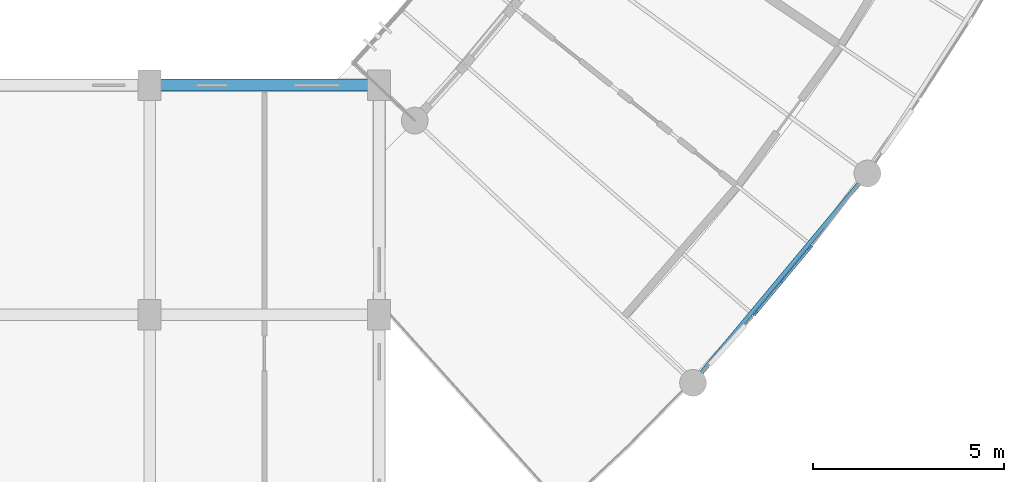
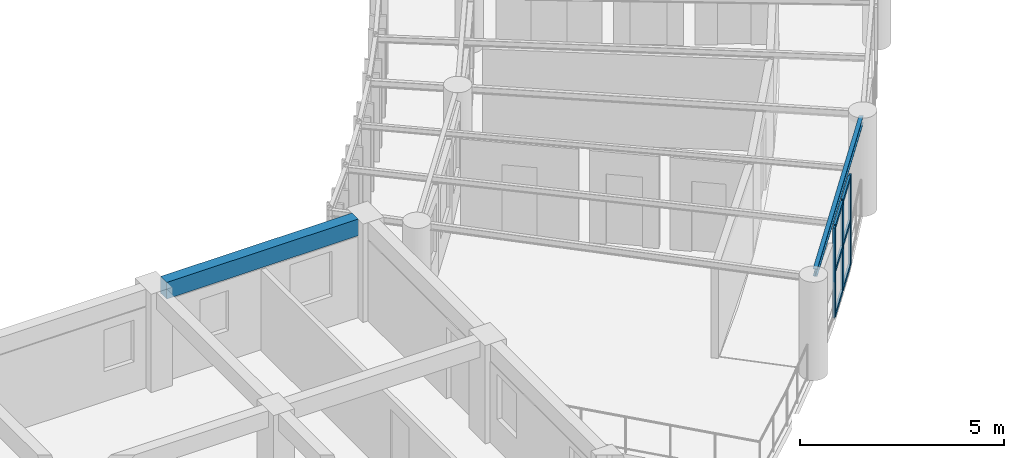
# One storey, part 22 of 137: 9 members, 2 beams, 1 element without a shape of its own.
"""IFC4 building model written with IfcOpenShell, lengths in metres."""

from ifc_helpers import new_model, si_unit, direction, frame, origin, origin_2d, place, context, subcontext, project, spatial, rectangle, i_section, extrude, material, layer, layer_set, material_profile, profile_set, type_object, element, aggregate, save


model = new_model("IFC4")

# Units and contexts
model_context = context("Model", 3, precision=1e-05, world=origin(), true_north=direction((0.0, 1.0)))
body_context = subcontext(model_context, "Body", "Model", "MODEL_VIEW")
ifc_project = project(units=[si_unit("LENGTHUNIT", "METRE"), si_unit("AREAUNIT", "SQUARE_METRE"), si_unit("VOLUMEUNIT", "CUBIC_METRE"), si_unit("PLANEANGLEUNIT", "RADIAN"), si_unit("MASSUNIT", "GRAM", prefix="KILO"), si_unit("POWERUNIT", "WATT"), si_unit("THERMODYNAMICTEMPERATUREUNIT", "KELVIN")], contexts=[model_context])

# Site, building, storey
site_placement = place(None, origin())
site = spatial("IfcSite", under=ifc_project, at=site_placement, CompositionType="ELEMENT")
building_placement = place(site_placement, origin())
building = spatial("IfcBuilding", under=site, at=building_placement, Name="Ruvembo Vaulted Housing Court", CompositionType="ELEMENT")
storey_placement = place(building_placement, frame((0.0, 0.0, 4.5)))
storey = spatial("IfcBuildingStorey", under=building, at=storey_placement, Name="L01", CompositionType="ELEMENT", Elevation=4.5)

# Beam
ifc_material_1 = material(Name="Steel S355J2", Category="steel")
ifc_material_profile_1 = material_profile(ifc_material_1, i_section(OverallWidth=0.110107421875, OverallDepth=0.219970703125, WebThickness=0.005859375, FlangeThickness=0.00927734375, FilletRadius=0.011962890625, at=origin_2d()), Name="IPE 220")
ifc_profile_set_1 = profile_set([ifc_material_profile_1], Name="Steel S355J2")
beam_type_1 = type_object("IfcBeamType", Name="BM-ST-IPE220", PredefinedType="SPANDREL", material=ifc_profile_set_1)
beam_1_placement = place(storey_placement, frame((44.35498046875, 34.39599609375, 2.83203125), z_axis=(0.639878120944, 0.768476408445, 0.0), x_axis=(-0.768476408445, 0.639878120944, 0.0)))
element("IfcBeam", 1, at=beam_1_placement, inside=storey, type_object=beam_type_1, Name="Scoop SC1 L01 Chord Girder B0", PredefinedType="SPANDREL", context=body_context, shape_type="SweptSolid", body=[
    extrude(i_section(OverallWidth=0.110107421875, OverallDepth=0.219970703125, WebThickness=0.005859375, FlangeThickness=0.00927734375, FilletRadius=0.011962890625, at=origin_2d()), origin(), (0.0, 0.0, 1.0), 6.66552734375),
])

# Curtain wall, members
ifc_material_2 = material(Name="Anodised Aluminium and Solar-Control Glass", Category="aluminium")
ifc_layer = layer(ifc_material_2, 0.1201171875, Name="Anodised Aluminium and Solar-Control Glass")
ifc_layer_set = layer_set([ifc_layer], Name="Anodised Aluminium and Solar-Control Glass")
curtain_wall_type = type_object("IfcCurtainWallType", Name="CW-SCOOP-GAL", PredefinedType="NOTDEFINED", material=ifc_layer_set)
curtain_wall_placement = place(storey_placement, origin())
curtain_wall = element("IfcCurtainWall", 2, at=curtain_wall_placement, inside=storey, type_object=curtain_wall_type, Name="L01 Curtain Wall CW-L01-0009", PredefinedType="NOTDEFINED")
ifc_material_3 = material(Name="Anodised Aluminium 6063-T6", Category="aluminium")
ifc_material_profile_2 = material_profile(ifc_material_3, rectangle(XDim=0.06005859375, YDim=0.159912109375, at=origin_2d()), Name="ALU 60x160")
ifc_profile_set_2 = profile_set([ifc_material_profile_2], Name="Anodised Aluminium 6063-T6")
member_type_1 = type_object("IfcMemberType", Name="CW-MULLION-65x150", PredefinedType="MULLION", material=ifc_profile_set_2)
member_1_placement = place(storey_placement, frame((45.853271484375, 36.043212890625, 0.0), z_axis=(0.0, 0.0, 1.0), x_axis=(-0.768484050303, 0.639868943167, 0.0)))
member_1 = element("IfcMember", 3, at=member_1_placement, type_object=member_type_1, Name="CW6 mullion 1", PredefinedType="MULLION", context=body_context, shape_type="SweptSolid", body=[
    extrude(rectangle(XDim=0.06005859375, YDim=0.159912109375, at=origin_2d()), origin(), (0.0, 0.0, 1.0), 2.697998046875),
])
member_2_placement = place(storey_placement, frame((46.562255859375, 36.89501953125, 0.0), z_axis=(0.0, 0.0, 1.0), x_axis=(-0.768484050303, 0.639868943167, 0.0)))
member_2 = element("IfcMember", 4, at=member_2_placement, type_object=member_type_1, Name="CW6 mullion 2", PredefinedType="MULLION", context=body_context, shape_type="SweptSolid", body=[
    extrude(rectangle(XDim=0.06005859375, YDim=0.159912109375, at=origin_2d()), origin(), (0.0, 0.0, 1.0), 2.697998046875),
])
member_3_placement = place(storey_placement, frame((47.271484375, 37.74658203125, 0.0), z_axis=(0.0, 0.0, 1.0), x_axis=(-0.768484050303, 0.639868943167, 0.0)))
member_3 = element("IfcMember", 5, at=member_3_placement, type_object=member_type_1, Name="CW6 mullion 3", PredefinedType="MULLION", context=body_context, shape_type="SweptSolid", body=[
    extrude(rectangle(XDim=0.06005859375, YDim=0.159912109375, at=origin_2d()), origin(), (0.0, 0.0, 1.0), 2.697998046875),
])
ifc_material_profile_3 = material_profile(ifc_material_3, rectangle(XDim=0.06005859375, YDim=0.1201171875, at=origin_2d()), Name="ALU 60x120")
ifc_profile_set_3 = profile_set([ifc_material_profile_3], Name="Anodised Aluminium 6063-T6")
member_type_2 = type_object("IfcMemberType", Name="CW-TRANSOM-65x120", PredefinedType="USERDEFINED", material=ifc_profile_set_3)
member_4_placement = place(storey_placement, frame((45.872314453125, 36.06640625, 0.030029296875), z_axis=(0.640024024625, 0.768354897103, 0.0), x_axis=(-0.768354897103, 0.640024024625, 0.0)))
member_4 = element("IfcMember", 6, at=member_4_placement, type_object=member_type_2, Name="CW6 transom 1.1", ObjectType="TRANSOM", PredefinedType="USERDEFINED", context=body_context, shape_type="SweptSolid", body=[
    extrude(rectangle(XDim=0.06005859375, YDim=0.1201171875, at=origin_2d()), origin(), (0.0, 0.0, 1.0), 1.04833984375),
])
member_5_placement = place(storey_placement, frame((45.872314453125, 36.06640625, 1.34912109375), z_axis=(0.640024024625, 0.768354897103, 0.0), x_axis=(-0.768354897103, 0.640024024625, 0.0)))
member_5 = element("IfcMember", 7, at=member_5_placement, type_object=member_type_2, Name="CW6 transom 1.2", ObjectType="TRANSOM", PredefinedType="USERDEFINED", context=body_context, shape_type="SweptSolid", body=[
    extrude(rectangle(XDim=0.06005859375, YDim=0.1201171875, at=origin_2d()), origin(), (0.0, 0.0, 1.0), 1.04833984375),
])
member_6_placement = place(storey_placement, frame((45.872314453125, 36.06640625, 2.66796875), z_axis=(0.640024024625, 0.768354897103, 0.0), x_axis=(-0.768354897103, 0.640024024625, 0.0)))
member_6 = element("IfcMember", 8, at=member_6_placement, type_object=member_type_2, Name="CW6 transom 1.3", ObjectType="TRANSOM", PredefinedType="USERDEFINED", context=body_context, shape_type="SweptSolid", body=[
    extrude(rectangle(XDim=0.06005859375, YDim=0.1201171875, at=origin_2d()), origin(), (0.0, 0.0, 1.0), 1.04833984375),
])
member_7_placement = place(storey_placement, frame((46.58154296875, 36.91796875, 0.030029296875), z_axis=(0.639771962699, 0.768564789555, 0.0), x_axis=(-0.768564789555, 0.639771962699, 0.0)))
member_7 = element("IfcMember", 9, at=member_7_placement, type_object=member_type_2, Name="CW6 transom 2.1", ObjectType="TRANSOM", PredefinedType="USERDEFINED", context=body_context, shape_type="SweptSolid", body=[
    extrude(rectangle(XDim=0.06005859375, YDim=0.1201171875, at=origin_2d()), origin(), (0.0, 0.0, 1.0), 1.04833984375),
])
member_8_placement = place(storey_placement, frame((46.58154296875, 36.91796875, 1.34912109375), z_axis=(0.639771962699, 0.768564789555, 0.0), x_axis=(-0.768564789555, 0.639771962699, 0.0)))
member_8 = element("IfcMember", 10, at=member_8_placement, type_object=member_type_2, Name="CW6 transom 2.2", ObjectType="TRANSOM", PredefinedType="USERDEFINED", context=body_context, shape_type="SweptSolid", body=[
    extrude(rectangle(XDim=0.06005859375, YDim=0.1201171875, at=origin_2d()), origin(), (0.0, 0.0, 1.0), 1.04833984375),
])
member_9_placement = place(storey_placement, frame((46.58154296875, 36.91796875, 2.66796875), z_axis=(0.639771962699, 0.768564789555, 0.0), x_axis=(-0.768564789555, 0.639771962699, 0.0)))
member_9 = element("IfcMember", 11, at=member_9_placement, type_object=member_type_2, Name="CW6 transom 2.3", ObjectType="TRANSOM", PredefinedType="USERDEFINED", context=body_context, shape_type="SweptSolid", body=[
    extrude(rectangle(XDim=0.06005859375, YDim=0.1201171875, at=origin_2d()), origin(), (0.0, 0.0, 1.0), 1.04833984375),
])
aggregate(curtain_wall, [member_1, member_2, member_3, member_4, member_5, member_6, member_7, member_8, member_9])

# Beam
ifc_material_4 = material(Name="Concrete C35/45", Category="concrete")
ifc_material_profile_4 = material_profile(ifc_material_4, rectangle(XDim=0.300048828125, YDim=0.5, at=origin_2d()), Name="RC 300x500")
ifc_profile_set_4 = profile_set([ifc_material_profile_4], Name="Concrete C35/45")
beam_type_2 = type_object("IfcBeamType", Name="SP-RC-300x500", PredefinedType="SPANDREL", material=ifc_profile_set_4)
beam_2_placement = place(storey_placement, frame((30.284912109375, 42.0, 2.695068359375), z_axis=(1.0, 0.0, 0.0), x_axis=(0.0, 1.0, 0.0)))
element("IfcBeam", 12, at=beam_2_placement, inside=storey, type_object=beam_type_2, Name="L01 Grid Beam X #1213", PredefinedType="SPANDREL", context=body_context, shape_type="SweptSolid", body=[
    extrude(rectangle(XDim=0.300048828125, YDim=0.5, at=origin_2d()), origin(), (0.0, 0.0, 1.0), 5.43017578125),
])

save(model, "model.ifc")
